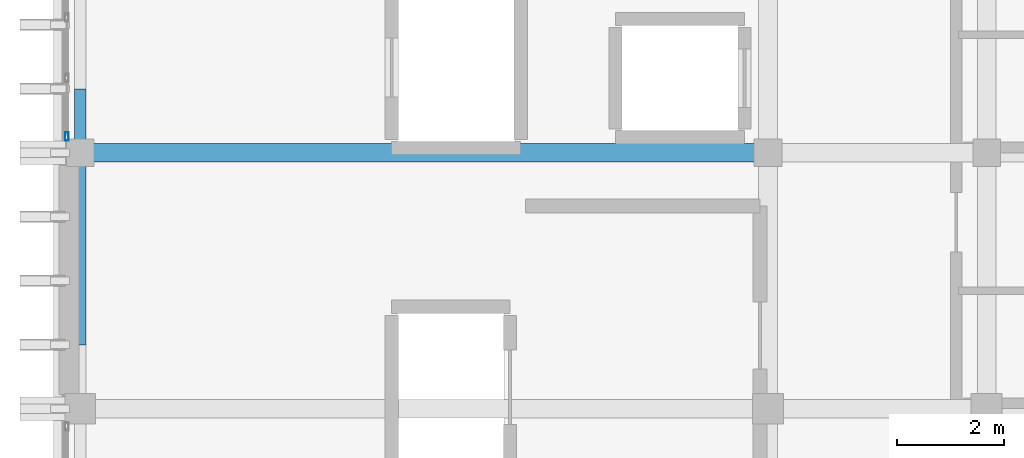
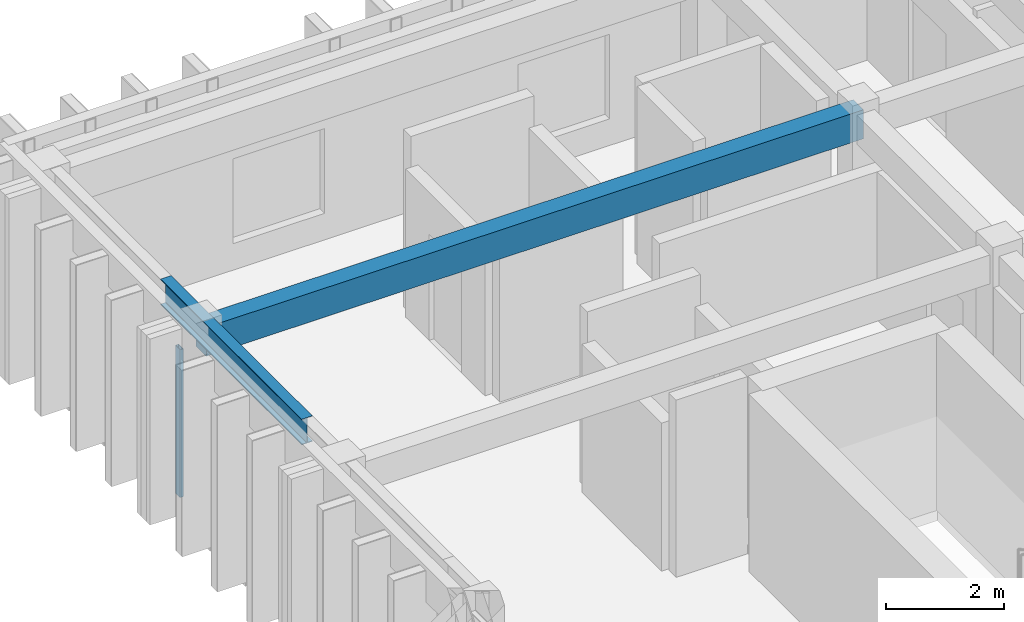
# One storey, part 28 of 49: 2 beams, 1 member, 1 element without a shape of its own.
"""IFC4 building model written with IfcOpenShell, lengths in metres."""

from ifc_helpers import new_model, si_unit, direction, frame, origin, origin_2d, place, context, subcontext, project, spatial, rectangle, hollow_rectangle, i_section, extrude, material, layer, layer_set, material_profile, profile_set, type_object, element, aggregate, save


model = new_model("IFC4")

# Units and contexts
model_context = context("Model", 3, precision=1e-05, world=origin(), true_north=direction((0.0, 1.0)))
body_context = subcontext(model_context, "Body", "Model", "MODEL_VIEW")
ifc_project = project(units=[si_unit("LENGTHUNIT", "METRE"), si_unit("AREAUNIT", "SQUARE_METRE"), si_unit("VOLUMEUNIT", "CUBIC_METRE"), si_unit("PLANEANGLEUNIT", "RADIAN"), si_unit("MASSUNIT", "GRAM", prefix="KILO")], contexts=[model_context])

# Site, building, storey
site_placement = place(None, origin())
site = spatial("IfcSite", under=ifc_project, at=site_placement, CompositionType="ELEMENT")
building_placement = place(site_placement, origin())
building = spatial("IfcBuilding", under=site, at=building_placement, Name="Nakhvara Creek Congress Hotel", CompositionType="ELEMENT")
storey_placement = place(building_placement, frame((0.0, 0.0, 46.5)))
storey = spatial("IfcBuildingStorey", under=building, at=storey_placement, Name="L11", CompositionType="ELEMENT", Elevation=46.5)

# Beams
ifc_material_1 = material(Name="Concrete C40/50", Category="concrete")
ifc_material_profile_1 = material_profile(ifc_material_1, rectangle(XDim=0.35009765625, YDim=0.60009765625, at=origin_2d()), Name="RC-BM 350x600", Category="LoadBearing")
ifc_profile_set_1 = profile_set([ifc_material_profile_1], Name="Concrete C40/50")
beam_type_1 = type_object("IfcBeamType", Name="BM-RC-350X600", PredefinedType="BEAM", material=ifc_profile_set_1)
beam_1_placement = place(storey_placement, frame((149.449951171875, 120.0, 3.3798828125), z_axis=(1.0, 0.0, 0.0), x_axis=(0.0, 1.0, 0.0)))
element("IfcBeam", 1, at=beam_1_placement, inside=storey, type_object=beam_type_1, Name="Beam B07-L11-2768", PredefinedType="BEAM", context=body_context, shape_type="SweptSolid", body=[
    extrude(rectangle(XDim=0.35009765625, YDim=0.60009765625, at=origin_2d()), origin(), (0.0, 0.0, 1.0), 12.900146484375),
])
ifc_material_2 = material(Name="Steel S355J2", Category="steel")
ifc_material_profile_2 = material_profile(ifc_material_2, i_section(OverallWidth=0.209228515625, OverallDepth=0.533203125, WebThickness=0.010009765625, FlangeThickness=0.015625, FilletRadius=0.0126953125, at=origin_2d()), Name="UB 533x210x92", Category="LoadBearing")
ifc_profile_set_2 = profile_set([ifc_material_profile_2], Name="Steel S355J2")
beam_type_2 = type_object("IfcBeamType", Name="BM-ST-UB533", PredefinedType="BEAM", material=ifc_profile_set_2)
beam_2_placement = place(storey_placement, frame((149.449951171875, 116.39990234375, 3.6201171875), z_axis=(0.0, 1.0, 0.0), x_axis=(-1.0, 0.0, 0.0)))
element("IfcBeam", 2, at=beam_2_placement, inside=storey, type_object=beam_type_2, Name="Hotel Gable Eave Beam W-10", PredefinedType="BEAM", context=body_context, shape_type="SweptSolid", body=[
    extrude(i_section(OverallWidth=0.209228515625, OverallDepth=0.533203125, WebThickness=0.010009765625, FlangeThickness=0.015625, FilletRadius=0.0126953125, at=origin_2d()), origin(), (0.0, 0.0, 1.0), 4.800048828125),
])

# Curtain wall, member
ifc_material_3 = material(Name="Bronze-anodised aluminium AW-6063-T6 and double-silver low-E glass", Category="aluminium")
ifc_layer = layer(ifc_material_3, 0.199951171875)
ifc_layer_set = layer_set([ifc_layer], Name="Bronze-anodised aluminium AW-6063-T6 and double-silver low-E glass")
curtain_wall_type = type_object("IfcCurtainWallType", Name="CW-HTL-UNIT", PredefinedType="USERDEFINED", material=ifc_layer_set)
curtain_wall_placement = place(storey_placement, origin())
curtain_wall = element("IfcCurtainWall", 3, at=curtain_wall_placement, inside=storey, type_object=curtain_wall_type, Name="Curtain Wall CW347", ObjectType="UNITISED", PredefinedType="USERDEFINED")
ifc_material_4 = material(Name="Bronze-anodised aluminium AW-6063-T6", Category="aluminium")
ifc_material_profile_3 = material_profile(ifc_material_4, hollow_rectangle(XDim=0.06494140625, YDim=0.159912109375, WallThickness=0.00390625, at=origin_2d()), Name="ALU-MULL 65x160x4", Category="LoadBearing")
ifc_profile_set_3 = profile_set([ifc_material_profile_3], Name="Bronze-anodised aluminium AW-6063-T6")
member_type = type_object("IfcMemberType", Name="CW-MULL-160", PredefinedType="MULLION", material=ifc_profile_set_3)
member_placement = place(storey_placement, frame((149.199951171875, 120.3076171875, 0.0), z_axis=(0.0, 0.0, 1.0), x_axis=(-1.0, 0.0, 0.0)))
member = element("IfcMember", 4, at=member_placement, type_object=member_type, Name="CW347 mullion 1", PredefinedType="MULLION", context=body_context, shape_type="SweptSolid", body=[
    extrude(hollow_rectangle(XDim=0.06494140625, YDim=0.159912109375, WallThickness=0.00390625, at=origin_2d()), origin(), (0.0, 0.0, 1.0), 3.072021484375),
])
aggregate(curtain_wall, [member])

save(model, "model.ifc")
